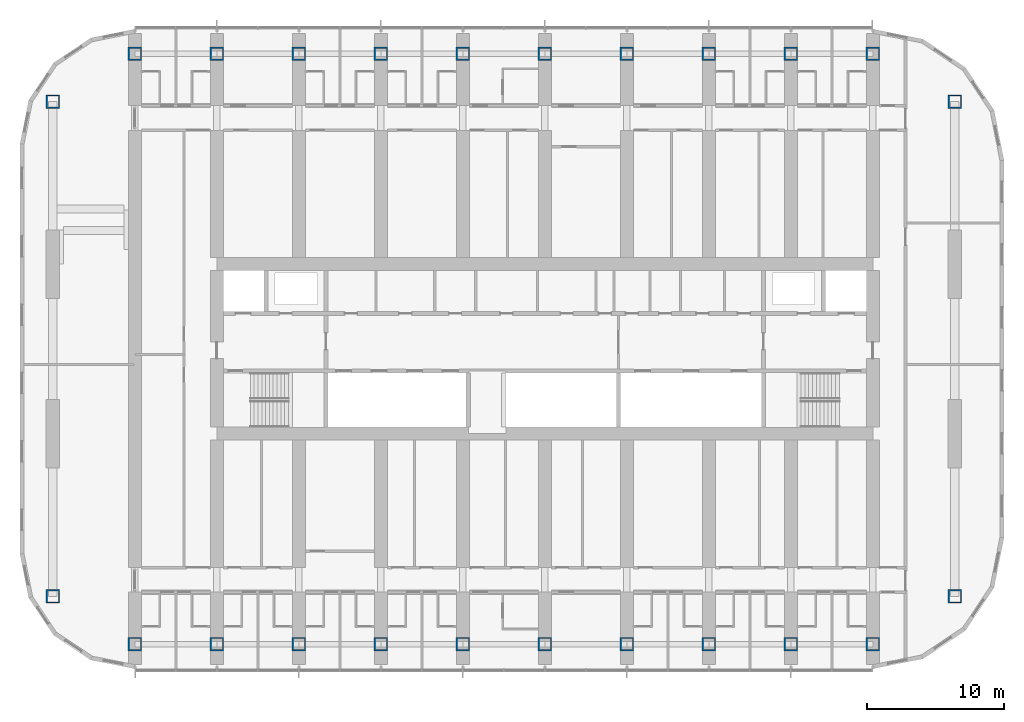
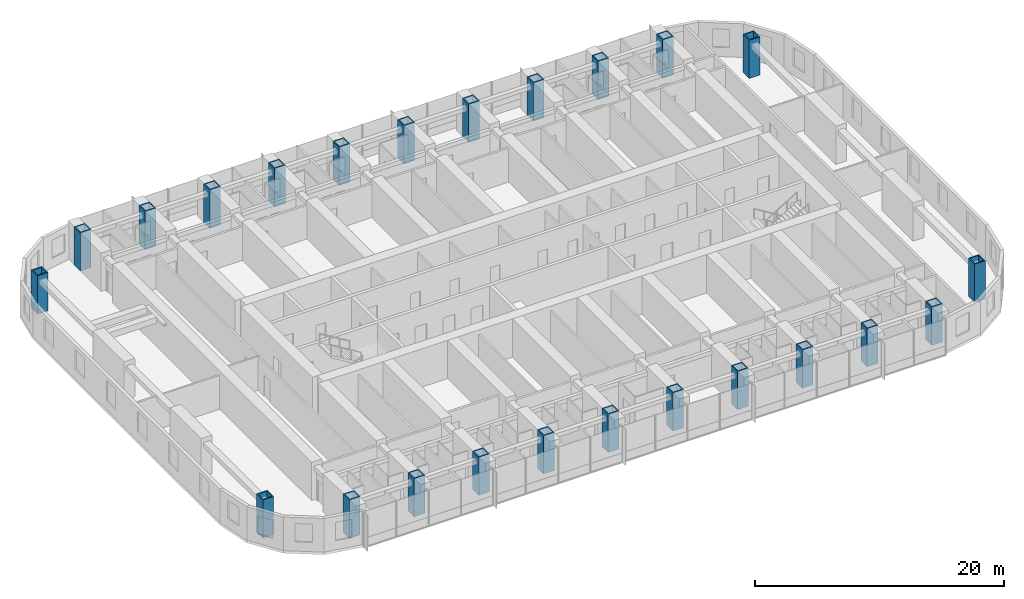
# One storey, part 1 of 22: 24 columns.
"""IFC4 building model written with IfcOpenShell, lengths in metres."""

from ifc_helpers import new_model, si_unit, direction, frame, origin, origin_2d, place, context, subcontext, project, spatial, hollow_rectangle, extrude, material, material_profile, profile_set, type_object, element, save


model = new_model("IFC4")

# Units and contexts
model_context = context("Model", 3, precision=1e-05, world=origin(), true_north=direction((0.0, 1.0)))
body_context = subcontext(model_context, "Body", "Model", "MODEL_VIEW")
ifc_project = project(units=[si_unit("LENGTHUNIT", "METRE"), si_unit("AREAUNIT", "SQUARE_METRE"), si_unit("VOLUMEUNIT", "CUBIC_METRE"), si_unit("PLANEANGLEUNIT", "RADIAN"), si_unit("MASSUNIT", "GRAM", prefix="KILO")], contexts=[model_context])

# Site, building, storey
site_placement = place(None, origin())
site = spatial("IfcSite", under=ifc_project, at=site_placement, CompositionType="ELEMENT")
building_placement = place(site_placement, origin())
building = spatial("IfcBuilding", under=site, at=building_placement, Name="Orbita Commons", CompositionType="ELEMENT")
storey_placement = place(building_placement, frame((0.0, 0.0, 80.64990234375)))
storey = spatial("IfcBuildingStorey", under=building, at=storey_placement, Name="L19", CompositionType="ELEMENT", Elevation=80.64990234375)

# Columns
ifc_material = material(Name="Steel ASTM A572 Gr 50 welded plate", Category="steel")
ifc_material_profile = material_profile(ifc_material, hollow_rectangle(XDim=1.0, YDim=1.0, WallThickness=0.10009765625, at=origin_2d()), Name="BOX 1000x1000x100")
ifc_profile_set = profile_set([ifc_material_profile], Name="Steel ASTM A572 Gr 50 welded plate")
column_type = type_object("IfcColumnType", Name="Steel column BOX 1000x1000x100", PredefinedType="COLUMN", material=ifc_profile_set)
for number, where, z_axis, x_axis, name in (
    (1, (12.0, 10.39990234375, 0.0), (0.0, 0.0, 1.0), (1.0, 0.0, 0.0), "Column 3/B L19"),
    (2, (12.0, 53.60009765625, 0.0), (0.0, 0.0, 1.0), (1.0, 0.0, 0.0), "Column 3/E L19"),
    (3, (18.0, 10.39990234375, 0.0), (0.0, 0.0, 1.0), (1.0, 0.0, 0.0), "Column 4/B L19"),
    (4, (18.0, 53.60009765625, 0.0), (0.0, 0.0, 1.0), (1.0, 0.0, 0.0), "Column 4/E L19"),
    (5, (24.0, 10.39990234375, 0.0), (0.0, 0.0, 1.0), (1.0, 0.0, 0.0), "Column 5/B L19"),
    (6, (24.0, 53.60009765625, 0.0), (0.0, 0.0, 1.0), (1.0, 0.0, 0.0), "Column 5/E L19"),
    (7, (30.0, 10.39990234375, 0.0), (0.0, 0.0, 1.0), (1.0, 0.0, 0.0), "Column 6/B L19"),
    (8, (30.0, 53.60009765625, 0.0), (0.0, 0.0, 1.0), (1.0, 0.0, 0.0), "Column 6/E L19"),
    (9, (36.0, 10.39990234375, 0.0), (0.0, 0.0, 1.0), (1.0, 0.0, 0.0), "Column 7/B L19"),
    (10, (36.0, 53.60009765625, 0.0), (0.0, 0.0, 1.0), (1.0, 0.0, 0.0), "Column 7/E L19"),
    (11, (42.0, 10.39990234375, 0.0), (0.0, 0.0, 1.0), (1.0, 0.0, 0.0), "Column 8/B L19"),
    (12, (42.0, 53.60009765625, 0.0), (0.0, 0.0, 1.0), (1.0, 0.0, 0.0), "Column 8/E L19"),
    (13, (48.0, 10.39990234375, 0.0), (0.0, 0.0, 1.0), (1.0, 0.0, 0.0), "Column 9/B L19"),
    (14, (48.0, 53.60009765625, 0.0), (0.0, 0.0, 1.0), (1.0, 0.0, 0.0), "Column 9/E L19"),
    (15, (54.0, 10.39990234375, 0.0), (0.0, 0.0, 1.0), (1.0, 0.0, 0.0), "Column 10/B L19"),
    (16, (54.0, 53.60009765625, 0.0), (0.0, 0.0, 1.0), (1.0, 0.0, 0.0), "Column 10/E L19"),
    (17, (60.0, 10.39990234375, 0.0), (0.0, 0.0, 1.0), (1.0, 0.0, 0.0), "Column 11/B L19"),
    (18, (60.0, 53.60009765625, 0.0), (0.0, 0.0, 1.0), (1.0, 0.0, 0.0), "Column 11/E L19"),
    (19, (66.0, 10.39990234375, 0.0), (0.0, 0.0, 1.0), (1.0, 0.0, 0.0), "Column 12/B L19"),
    (20, (66.0, 53.60009765625, 0.0), (0.0, 0.0, 1.0), (1.0, 0.0, 0.0), "Column 12/E L19"),
    (21, (6.0, 13.89990234375, 0.0), (0.0, 0.0, 1.0), (1.0, 0.0, 0.0), "Column 2/13.9 L19"),
    (22, (6.0, 50.10009765625, 0.0), (0.0, 0.0, 1.0), (1.0, 0.0, 0.0), "Column 2/50.1 L19"),
    (23, (72.0, 13.89990234375, 0.0), (0.0, 0.0, 1.0), (1.0, 0.0, 0.0), "Column 13/13.9 L19"),
    (24, (72.0, 50.10009765625, 0.0), (0.0, 0.0, 1.0), (1.0, 0.0, 0.0), "Column 13/50.1 L19"),
):
    element("IfcColumn", number, at=place(storey_placement, frame(where, z_axis=z_axis, x_axis=x_axis)), inside=storey, type_object=column_type, Name=name, PredefinedType="COLUMN", context=body_context, shape_type="SweptSolid", body=[
        extrude(hollow_rectangle(XDim=1.0, YDim=1.0, WallThickness=0.10009765625, at=origin_2d()), origin(), (0.0, 0.0, 1.0), 3.75),
    ])

save(model, "model.ifc")
